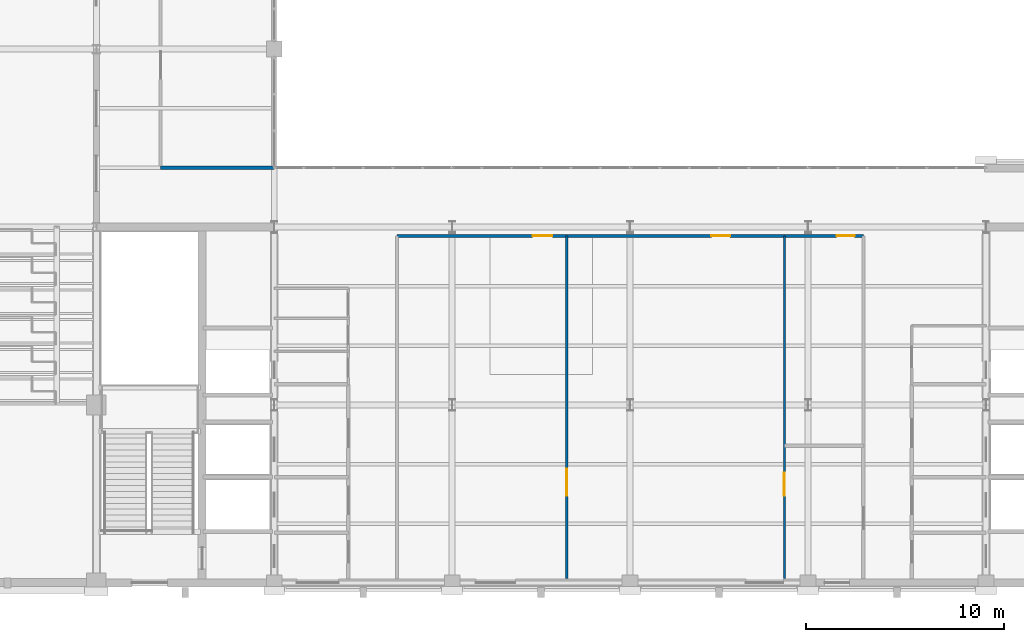
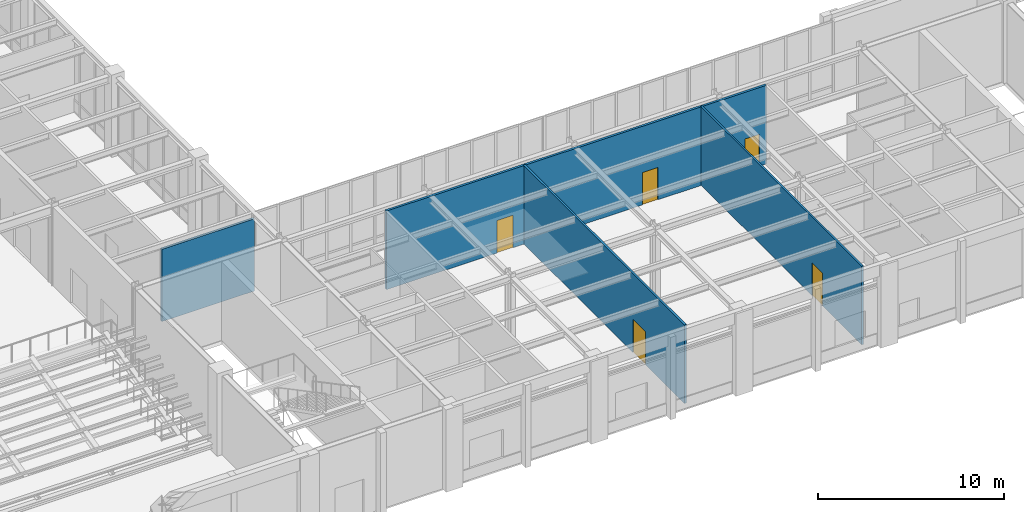
# One storey, part 62 of 77: 5 doors, 4 walls, 5 openings.
"""IFC4 building model written with IfcOpenShell, lengths in metres."""

from ifc_helpers import new_model, si_unit, direction, frame, frame_2d, origin, place, context, subcontext, project, spatial, rectangle, extrude, material, layer, layer_set, type_object, element, fill, save


model = new_model("IFC4")

# Units and contexts
model_context = context("Model", 3, precision=1e-05, world=origin(), true_north=direction((0.0, 1.0)))
body_context = subcontext(model_context, "Body", "Model", "MODEL_VIEW")
ifc_project = project(units=[si_unit("LENGTHUNIT", "METRE"), si_unit("AREAUNIT", "SQUARE_METRE"), si_unit("VOLUMEUNIT", "CUBIC_METRE"), si_unit("PLANEANGLEUNIT", "RADIAN"), si_unit("MASSUNIT", "GRAM", prefix="KILO")], contexts=[model_context])

# Site, building, storey
site_placement = place(None, origin())
site = spatial("IfcSite", under=ifc_project, at=site_placement, CompositionType="ELEMENT")
building_placement = place(site_placement, origin())
building = spatial("IfcBuilding", under=site, at=building_placement, Name="Lykobir Media Centre", CompositionType="ELEMENT")
storey_placement = place(building_placement, origin())
storey = spatial("IfcBuildingStorey", under=building, at=storey_placement, Name="L00", CompositionType="ELEMENT", Elevation=0.0)

# Wall, openings, doors
ifc_material_1 = material(Name="Acoustic Gypsum Board", Category="gypsum")
ifc_layer_1 = layer(ifc_material_1, 0.14501953125, Name="Acoustic Gypsum Board")
ifc_layer_set_1 = layer_set([ifc_layer_1], Name="Acoustic Gypsum Board")
wall_type_1 = type_object("IfcWallType", Name="IW-COR-145", PredefinedType="PARTITIONING", material=ifc_layer_set_1)
wall_1_placement = place(storey_placement, frame((42.199951171875, 17.550048828125, 0.0), z_axis=(0.0, 0.0, 1.0), x_axis=(1.0, 0.0, 0.0)))
wall_1 = element("IfcWall", 1, at=wall_1_placement, inside=storey, type_object=wall_type_1, Name="Wall IWALL-L00-0653", PredefinedType="PARTITIONING", context=body_context, shape_type="SweptSolid", body=[
    extrude(rectangle(XDim=23.60009765625, YDim=0.14501953125, at=frame_2d((11.800048828125, 0.0))), origin(), (0.0, 0.0, 1.0), 5.159912109375),
])
opening_1_placement = place(wall_1_placement, frame((6.87109375, 0.0, 0.0)))
opening_1 = element("IfcOpeningElement", 2, at=opening_1_placement, cuts=wall_1, Name="Opening D-L00-V7R1", PredefinedType="OPENING", context=body_context, shape_type="SweptSolid", body=[
    extrude(rectangle(XDim=1.0, YDim=2.139892578125, at=frame_2d((0.5, 1.06982421875))), frame((0.0, 0.08251953125, 0.0), z_axis=(0.0, -1.0, 0.0), x_axis=(1.0, 0.0, 0.0)), (0.0, 0.0, 1.0), 0.1650390625),
])
opening_2_placement = place(wall_1_placement, frame((15.912109375, 0.0, 0.0)))
opening_2 = element("IfcOpeningElement", 3, at=opening_2_placement, cuts=wall_1, Name="Opening D-L00-V7R2", PredefinedType="OPENING", context=body_context, shape_type="SweptSolid", body=[
    extrude(rectangle(XDim=0.949951171875, YDim=2.1201171875, at=frame_2d((0.47509765625, 1.06005859375))), frame((0.0, 0.08251953125, 0.0), z_axis=(0.0, -1.0, 0.0), x_axis=(1.0, 0.0, 0.0)), (0.0, 0.0, 1.0), 0.1650390625),
])
opening_3_placement = place(wall_1_placement, frame((22.25, 0.0, 0.0)))
opening_3 = element("IfcOpeningElement", 4, at=opening_3_placement, cuts=wall_1, Name="Opening D-L00-V7R3", PredefinedType="OPENING", context=body_context, shape_type="SweptSolid", body=[
    extrude(rectangle(XDim=0.89990234375, YDim=2.10009765625, at=frame_2d((0.449951171875, 1.050048828125))), frame((0.0, 0.08251953125, 0.0), z_axis=(0.0, -1.0, 0.0), x_axis=(1.0, 0.0, 0.0)), (0.0, 0.0, 1.0), 0.1650390625),
])
ifc_material_2 = material(Name="Acoustic Timber Panelling", Category="wood")
door_type_1 = type_object("IfcDoorType", Name="FD-0900x2100", OperationType="NOTDEFINED", PredefinedType="DOOR", material=ifc_material_2)
door_1_placement = place(opening_3_placement, origin())
door_1 = element("IfcDoor", 5, at=door_1_placement, inside=storey, type_object=door_type_1, Name="Door D-L00-V7R3", OperationType="SINGLE_SWING_RIGHT", OverallHeight=2.10009765625, OverallWidth=0.89990234375, PredefinedType="DOOR", context=body_context, shape_type="SweptSolid", body=[
    extrude(rectangle(XDim=0.89990234375, YDim=2.10009765625, at=frame_2d((0.449951171875, 1.050048828125))), frame((0.0, 0.02490234375, 0.0), z_axis=(0.0, -1.0, 0.0), x_axis=(1.0, 0.0, 0.0)), (0.0, 0.0, 1.0), 0.050048828125),
])
fill(opening_3, door_1)
door_type_2 = type_object("IfcDoorType", Name="FD-0950x2120", OperationType="NOTDEFINED", PredefinedType="DOOR", material=ifc_material_2)
door_2_placement = place(opening_2_placement, origin())
door_2 = element("IfcDoor", 6, at=door_2_placement, inside=storey, type_object=door_type_2, Name="Door D-L00-V7R2", OperationType="SINGLE_SWING_RIGHT", OverallHeight=2.1201171875, OverallWidth=0.949951171875, PredefinedType="DOOR", context=body_context, shape_type="SweptSolid", body=[
    extrude(rectangle(XDim=0.949951171875, YDim=2.1201171875, at=frame_2d((0.47509765625, 1.06005859375))), frame((0.0, 0.02490234375, 0.0), z_axis=(0.0, -1.0, 0.0), x_axis=(1.0, 0.0, 0.0)), (0.0, 0.0, 1.0), 0.050048828125),
])
fill(opening_2, door_2)
door_type_3 = type_object("IfcDoorType", Name="FD-1000x2140", OperationType="NOTDEFINED", PredefinedType="DOOR", material=ifc_material_2)
door_3_placement = place(opening_1_placement, origin())
door_3 = element("IfcDoor", 7, at=door_3_placement, inside=storey, type_object=door_type_3, Name="Door D-L00-V7R1", OperationType="SINGLE_SWING_RIGHT", OverallHeight=2.139892578125, OverallWidth=1.0, PredefinedType="DOOR", context=body_context, shape_type="SweptSolid", body=[
    extrude(rectangle(XDim=1.0, YDim=2.139892578125, at=frame_2d((0.5, 1.06982421875))), frame((0.0, 0.02490234375, 0.0), z_axis=(0.0, -1.0, 0.0), x_axis=(1.0, 0.0, 0.0)), (0.0, 0.0, 1.0), 0.050048828125),
])
fill(opening_1, door_3)

# Wall
ifc_layer_2 = layer(ifc_material_1, 0.159912109375, Name="Acoustic Gypsum Board")
ifc_layer_set_2 = layer_set([ifc_layer_2], Name="Acoustic Gypsum Board")
wall_type_2 = type_object("IfcWallType", Name="IW-COR-160", PredefinedType="PARTITIONING", material=ifc_layer_set_2)
wall_2_placement = place(storey_placement, frame((30.25, 21.0, 0.0), z_axis=(0.0, 0.0, 1.0), x_axis=(1.0, 0.0, 0.0)))
element("IfcWall", 8, at=wall_2_placement, inside=storey, type_object=wall_type_2, Name="Wall IWALL-L00-0659", PredefinedType="PARTITIONING", context=body_context, shape_type="SweptSolid", body=[
    extrude(rectangle(XDim=5.72998046875, YDim=0.159912109375, at=frame_2d((2.864990234375, 0.0))), origin(), (0.0, 0.0, 1.0), 4.7451171875),
])

# Wall, opening, door
ifc_layer_3 = layer(ifc_material_1, 0.110107421875, Name="Acoustic Gypsum Board")
ifc_layer_set_3 = layer_set([ifc_layer_3], Name="Acoustic Gypsum Board")
wall_type_3 = type_object("IfcWallType", Name="IW-RM-110", PredefinedType="PARTITIONING", material=ifc_layer_set_3)
wall_3_placement = place(storey_placement, frame((61.800048828125, 0.219970703125, 0.0), z_axis=(0.0, 0.0, 1.0), x_axis=(0.0, 1.0, 0.0)))
wall_3 = element("IfcWall", 9, at=wall_3_placement, inside=storey, type_object=wall_type_3, Name="Wall IWALL-L00-0657", PredefinedType="PARTITIONING", context=body_context, shape_type="SweptSolid", body=[
    extrude(rectangle(XDim=17.330078125, YDim=0.110107421875, at=frame_2d((8.6650390625, 0.0))), origin(), (0.0, 0.0, 1.0), 5.159912109375),
])
opening_4_placement = place(wall_3_placement, frame((4.199951171875, 0.0, 0.0)))
opening_4 = element("IfcOpeningElement", 10, at=opening_4_placement, cuts=wall_3, Name="Opening D-L00-V7S2", PredefinedType="OPENING", context=body_context, shape_type="SweptSolid", body=[
    extrude(rectangle(XDim=1.14990234375, YDim=2.14990234375, at=frame_2d((0.574951171875, 1.074951171875))), frame((0.0, 0.06494140625, 0.0), z_axis=(0.0, -1.0, 0.0), x_axis=(1.0, 0.0, 0.0)), (0.0, 0.0, 1.0), 0.130126953125),
])
door_type_4 = type_object("IfcDoorType", Name="ID-1150x2150", OperationType="NOTDEFINED", PredefinedType="DOOR", material=ifc_material_2)
door_4_placement = place(opening_4_placement, origin())
door_4 = element("IfcDoor", 11, at=door_4_placement, inside=storey, type_object=door_type_4, Name="Door D-L00-V7S2", OperationType="SINGLE_SWING_LEFT", OverallHeight=2.14990234375, OverallWidth=1.14990234375, PredefinedType="DOOR", context=body_context, shape_type="SweptSolid", body=[
    extrude(rectangle(XDim=1.14990234375, YDim=2.14990234375, at=frame_2d((0.574951171875, 1.074951171875))), frame((0.0, 0.02490234375, 0.0), z_axis=(0.0, -1.0, 0.0), x_axis=(1.0, 0.0, 0.0)), (0.0, 0.0, 1.0), 0.050048828125),
])
fill(opening_4, door_4)

ifc_layer_4 = layer(ifc_material_1, 0.125, Name="Acoustic Gypsum Board")
ifc_layer_set_4 = layer_set([ifc_layer_4], Name="Acoustic Gypsum Board")
wall_type_4 = type_object("IfcWallType", Name="IW-RM-125", PredefinedType="PARTITIONING", material=ifc_layer_set_4)
wall_4_placement = place(storey_placement, frame((50.800048828125, 0.219970703125, 0.0), z_axis=(0.0, 0.0, 1.0), x_axis=(0.0, 1.0, 0.0)))
wall_4 = element("IfcWall", 12, at=wall_4_placement, inside=storey, type_object=wall_type_4, Name="Wall IWALL-L00-0656", PredefinedType="PARTITIONING", context=body_context, shape_type="SweptSolid", body=[
    extrude(rectangle(XDim=17.330078125, YDim=0.125, at=frame_2d((8.6650390625, 0.0))), origin(), (0.0, 0.0, 1.0), 5.159912109375),
])
opening_5_placement = place(wall_4_placement, frame((4.199951171875, 0.0, 0.0)))
opening_5 = element("IfcOpeningElement", 13, at=opening_5_placement, cuts=wall_4, Name="Opening D-L00-V7S1", PredefinedType="OPENING", context=body_context, shape_type="SweptSolid", body=[
    extrude(rectangle(XDim=1.35009765625, YDim=2.179931640625, at=frame_2d((0.675048828125, 1.08984375))), frame((0.0, 0.072509765625, 0.0), z_axis=(0.0, -1.0, 0.0), x_axis=(1.0, 0.0, 0.0)), (0.0, 0.0, 1.0), 0.14501953125),
])
door_type_5 = type_object("IfcDoorType", Name="ID-1350x2180", OperationType="NOTDEFINED", PredefinedType="DOOR", material=ifc_material_2)
door_5_placement = place(opening_5_placement, origin())
door_5 = element("IfcDoor", 14, at=door_5_placement, inside=storey, type_object=door_type_5, Name="Door D-L00-V7S1", OperationType="SINGLE_SWING_LEFT", OverallHeight=2.179931640625, OverallWidth=1.35009765625, PredefinedType="DOOR", context=body_context, shape_type="SweptSolid", body=[
    extrude(rectangle(XDim=1.35009765625, YDim=2.179931640625, at=frame_2d((0.675048828125, 1.08984375))), frame((0.0, 0.02490234375, 0.0), z_axis=(0.0, -1.0, 0.0), x_axis=(1.0, 0.0, 0.0)), (0.0, 0.0, 1.0), 0.050048828125),
])
fill(opening_5, door_5)

save(model, "model.ifc")
